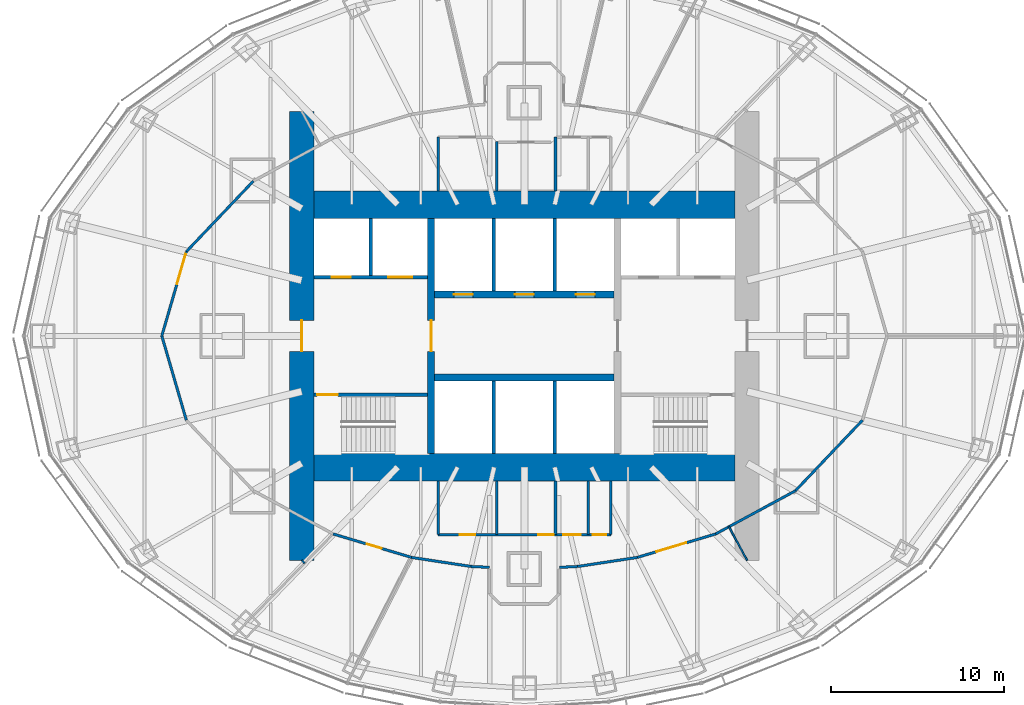
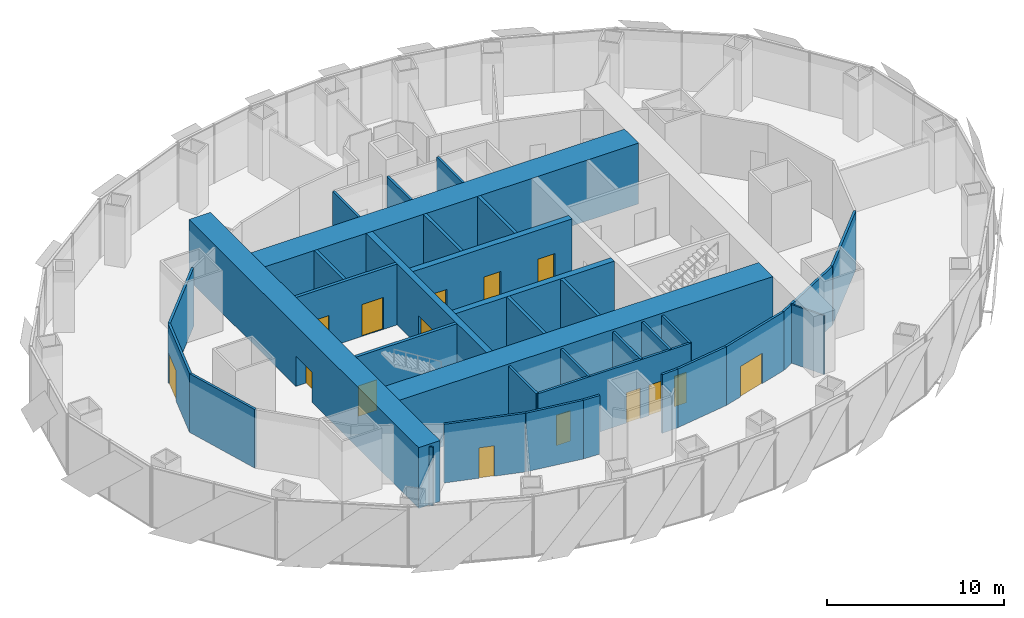
# One storey, part 11 of 18: 35 walls, 15 doors, 15 openings.
"""IFC4 building model written with IfcOpenShell, lengths in metres."""

import ifcopenshell
import ifcopenshell.guid

model = None  # the IFC model being written
_history = None  # IfcOwnerHistory: only IFC2X3 demands one
_inside = {}  # id of a spatial element -> (the spatial element, [elements in it])
_under = {}  # id of a project, library or spatial element -> (it, [spatial elements below it])
_declared = {}  # id of a project -> (the project, [libraries it declares])
_typed = {}  # id of a type object -> (the type object, [elements of that type])
_made_of = {}  # id of a material, layer set ... -> (it, [elements and type objects made of it])


def new_model(schema):
    """Start an empty IFC model of exactly this schema.

    Asked for "IFC4X3", IfcOpenShell would pick the latest addendum, in which some entities
    have other attributes; the version numbers below select the first issue.
    IFC2X3 requires an IfcOwnerHistory on every rooted entity: one is made here for all.
    """
    global model, _history
    if schema == "IFC4X3":
        model = ifcopenshell.file(schema_version=(4, 3, 0, 0))
    else:
        model = ifcopenshell.file(schema=schema)
    _inside.clear()
    _under.clear()
    _declared.clear()
    _typed.clear()
    _made_of.clear()
    _history = None
    if model.schema == "IFC2X3":
        org = make("IfcOrganization", Name="unknown")
        user = make(
            "IfcPersonAndOrganization",
            ThePerson=make("IfcPerson", FamilyName="unknown"),
            TheOrganization=org,
        )
        app = make(
            "IfcApplication",
            ApplicationDeveloper=org,
            Version="unknown",
            ApplicationFullName="unknown",
            ApplicationIdentifier="unknown",
        )
        _history = make(
            "IfcOwnerHistory",
            OwningUser=user,
            OwningApplication=app,
            ChangeAction="ADDED",
            CreationDate=0,
        )
    return model


def make(cls, **values):
    """One entity of the class cls with the attributes given. An attribute that is None is left unset."""
    return model.create_entity(
        cls, **{name: value for name, value in values.items() if value is not None}
    )


def rooted(cls, **values):
    """An entity with a GlobalId (a new one), such as an element, a storey or a relation."""
    return make(cls, GlobalId=ifcopenshell.guid.new(), OwnerHistory=_history, **values)


def si_unit(unit_type, name, prefix=None):
    """IfcSIUnit, for example si_unit("LENGTHUNIT", "METRE", prefix="MILLI")."""
    return make("IfcSIUnit", UnitType=unit_type, Prefix=prefix, Name=name)


def assignment(units):
    """IfcUnitAssignment: the units of a project."""
    return None if units is None else make("IfcUnitAssignment", Units=units)


def point(xyz):
    """IfcCartesianPoint."""
    return None if xyz is None else make("IfcCartesianPoint", Coordinates=xyz)


def direction(xyz):
    """IfcDirection."""
    return None if xyz is None else make("IfcDirection", DirectionRatios=xyz)


def frame(location, z_axis=None, x_axis=None):
    """IfcAxis2Placement3D, a coordinate frame: its origin and axes. An axis left out is left unset."""
    return make(
        "IfcAxis2Placement3D",
        Location=point(location),
        Axis=direction(z_axis),
        RefDirection=direction(x_axis),
    )


def frame_2d(location, x_axis=None):
    """IfcAxis2Placement2D, a coordinate frame in the plane: its origin and x axis."""
    return make(
        "IfcAxis2Placement2D", Location=point(location), RefDirection=direction(x_axis)
    )


def origin():
    """The frame at (0, 0, 0) with its axes left unset."""
    return frame((0.0, 0.0, 0.0))


def place(relative_to, where):
    """IfcLocalPlacement: puts the frame where relative to a parent placement (None: the world)."""
    return make(
        "IfcLocalPlacement", PlacementRelTo=relative_to, RelativePlacement=where
    )


def context(
    kind, dimensions, precision=None, world=None, true_north=None, identifier=None
):
    """IfcGeometricRepresentationContext, for example the 3D "Model" context."""
    return make(
        "IfcGeometricRepresentationContext",
        ContextIdentifier=identifier,
        ContextType=kind,
        CoordinateSpaceDimension=dimensions,
        Precision=precision,
        WorldCoordinateSystem=world,
        TrueNorth=true_north,
    )


def subcontext(parent, identifier, kind, view, scale=None):
    """IfcGeometricRepresentationSubContext, for example "Body" below "Model"."""
    return make(
        "IfcGeometricRepresentationSubContext",
        ContextIdentifier=identifier,
        ContextType=kind,
        ParentContext=parent,
        TargetScale=scale,
        TargetView=view,
    )


def project(units=None, contexts=None):
    """IfcProject with its units and contexts."""
    return rooted(
        "IfcProject",
        Name="project",
        RepresentationContexts=contexts,
        UnitsInContext=assignment(units),
    )


def spatial(cls, under=None, at=None, **own):
    """A site, building, storey or space (cls), placed at a placement, below another one or the project."""
    s = rooted(cls, ObjectPlacement=at, **own)
    if under is not None:
        _under.setdefault(under.id(), (under, []))[1].append(s)
    return s


def profile(cls, at=None, kind="AREA", **sizes):
    """A parametric profile (cls). Its sizes go by their IFC names, for example OverallWidth=200.0."""
    return make(cls, ProfileType=kind, Position=at, **sizes)


def rectangle(**sizes):
    """IfcRectangleProfileDef."""
    return profile("IfcRectangleProfileDef", **sizes)


def extrude(swept, where, along, depth):
    """IfcExtrudedAreaSolid: the profile swept, set in the frame where, extruded along a direction by depth."""
    return make(
        "IfcExtrudedAreaSolid",
        SweptArea=swept,
        Position=where,
        ExtrudedDirection=direction(along),
        Depth=depth,
    )


def shape(context_of_items, identifier, shape_type, items):
    """IfcShapeRepresentation: the items that make up one representation, for example the "Body"."""
    return make(
        "IfcShapeRepresentation",
        ContextOfItems=context_of_items,
        RepresentationIdentifier=identifier,
        RepresentationType=shape_type,
        Items=items,
    )


def material(Name=None, Category=None):
    """IfcMaterial."""
    return make("IfcMaterial", Name=Name, Category=Category)


def layer(
    of_material, thickness, ventilated=None, Name=None, Category=None, Priority=None
):
    """IfcMaterialLayer: one layer of a wall or slab, of a material (None: an air gap)."""
    return make(
        "IfcMaterialLayer",
        Material=of_material,
        LayerThickness=thickness,
        IsVentilated=ventilated,
        Name=Name,
        Category=Category,
        Priority=Priority,
    )


def layer_set(layers, Name=None):
    """IfcMaterialLayerSet."""
    return make("IfcMaterialLayerSet", MaterialLayers=layers, LayerSetName=Name)


def made_of(thing, what):
    """Note that an element or type object is made of a material, layer set ...; save() writes the relation."""
    if what is not None:
        _made_of.setdefault(what.id(), (what, []))[1].append(thing)
    return thing


def type_object(cls, material=None, **own):
    """A type object (cls), such as IfcWallType, which elements share."""
    return made_of(rooted(cls, **own), material)


def element(
    cls,
    number,
    at=None,
    inside=None,
    cuts=None,
    type_object=None,
    material=None,
    context=None,
    identifier="Body",
    shape_type=None,
    held_by="IfcProductDefinitionShape",
    body=None,
    shapes=None,
    **own,
):
    """One element of the class cls, such as IfcWall. Its Tag is "e" and its number.

    at: its placement. inside: the storey or other place that contains it. cuts: it is an
    opening in that element (IfcRelVoidsElement). A single representation is given by context,
    identifier, shape_type and body (its items); several are given by shapes. held_by: the class
    of the entity that holds the representations. save() writes the other relations.
    """
    e = rooted(cls, Tag="e%d" % number, ObjectPlacement=at, **own)
    if body is not None:
        shapes = [shape(context, identifier, shape_type, body)]
    if shapes is not None:
        e.Representation = make(held_by, Representations=shapes)
    if inside is not None:
        _inside.setdefault(inside.id(), (inside, []))[1].append(e)
    if cuts is not None:
        rooted(
            "IfcRelVoidsElement", RelatingBuildingElement=cuts, RelatedOpeningElement=e
        )
    if type_object is not None:
        _typed.setdefault(type_object.id(), (type_object, []))[1].append(e)
    return made_of(e, material)


def fill(opening, filler):
    """IfcRelFillsElement: the door or window that sits in an opening."""
    return rooted(
        "IfcRelFillsElement",
        RelatingOpeningElement=opening,
        RelatedBuildingElement=filler,
    )


def aggregate(whole, parts):
    """IfcRelAggregates: a whole, such as a stair, and the parts it consists of."""
    return rooted("IfcRelAggregates", RelatingObject=whole, RelatedObjects=parts)


def save(model, path):
    """Write the relations noted so far, then the file.

    IfcRelAggregates (storeys below a building ...), IfcRelContainedInSpatialStructure (elements
    in a storey), IfcRelDefinesByType, IfcRelAssociatesMaterial and IfcRelDeclares: one each for
    every whole, place, type object, material and project.
    """
    for whole, parts in _under.values():
        aggregate(whole, parts)
    for where, things in _inside.values():
        rooted(
            "IfcRelContainedInSpatialStructure",
            RelatedElements=things,
            RelatingStructure=where,
        )
    for kind, things in _typed.values():
        rooted("IfcRelDefinesByType", RelatedObjects=things, RelatingType=kind)
    for what, things in _made_of.values():
        rooted("IfcRelAssociatesMaterial", RelatedObjects=things, RelatingMaterial=what)
    for by, libraries in _declared.values():
        rooted("IfcRelDeclares", RelatingContext=by, RelatedDefinitions=libraries)
    model.write(path)


model = new_model("IFC4")

# Units and contexts
model_context = context("Model", 3, precision=1e-05, world=origin(), true_north=direction((0.0, 1.0)))
body_context = subcontext(model_context, "Body", "Model", "MODEL_VIEW")
ifc_project = project(units=[si_unit("LENGTHUNIT", "METRE"), si_unit("AREAUNIT", "SQUARE_METRE"), si_unit("VOLUMEUNIT", "CUBIC_METRE"), si_unit("PLANEANGLEUNIT", "RADIAN"), si_unit("MASSUNIT", "GRAM", prefix="KILO")], contexts=[model_context])

# Site, building, storey
site_placement = place(None, origin())
site = spatial("IfcSite", under=ifc_project, at=site_placement, CompositionType="ELEMENT")
building_placement = place(site_placement, origin())
building = spatial("IfcBuilding", under=site, at=building_placement, Name="Lantaw Convention Tower", CompositionType="ELEMENT")
storey_placement = place(building_placement, frame((0.0, 0.0, 180.39990234375)))
storey = spatial("IfcBuildingStorey", under=building, at=storey_placement, Name="L42", CompositionType="ELEMENT", Elevation=180.39990234375)

# Wall, opening, door
ifc_material_1 = material(Name="Concrete C60/75", Category="concrete")
ifc_layer_1 = layer(ifc_material_1, 1.39990234375)
ifc_layer_set_1 = layer_set([ifc_layer_1], Name="Core wall 1400")
wall_type_1 = type_object("IfcWallType", Name="Core wall 1400", PredefinedType="SHEAR", material=ifc_layer_set_1)
wall_1_placement = place(storey_placement, frame((-12.89990234375, 13.0, 0.0), z_axis=(0.0, 0.0, 1.0), x_axis=(0.0, -1.0, 0.0)))
wall_1 = element("IfcWall", 1, at=wall_1_placement, inside=storey, type_object=wall_type_1, Name="Core wall W", PredefinedType="SHEAR", context=body_context, shape_type="SweptSolid", body=[
    extrude(rectangle(XDim=26.0, YDim=1.39990234375, at=frame_2d((13.0, 0.0))), origin(), (0.0, 0.0, 1.0), 4.2001953125),
])
opening_1_placement = place(wall_1_placement, frame((12.10009765625, 0.0, 0.0)))
opening_1 = element("IfcOpeningElement", 2, at=opening_1_placement, cuts=wall_1, Name="Opening L42.06", PredefinedType="OPENING", context=body_context, shape_type="SweptSolid", body=[
    extrude(rectangle(XDim=1.800048828125, YDim=2.10009765625, at=frame_2d((0.89990234375, 1.050048828125))), frame((0.0, 0.7099609375, 0.0), z_axis=(0.0, -1.0, 0.0), x_axis=(1.0, 0.0, 0.0)), (0.0, 0.0, 1.0), 1.419921875),
])
ifc_material_2 = material(Name="Steel, fire rated", Category="steel")
door_type_1 = type_object("IfcDoorType", Name="Lobby double door FD90", OperationType="DOUBLE_DOOR_DOUBLE_SWING", PredefinedType="DOOR", material=ifc_material_2)
door_1_placement = place(opening_1_placement, origin())
door_1 = element("IfcDoor", 3, at=door_1_placement, inside=storey, type_object=door_type_1, Name="Firefighting lobby door", OperationType="DOUBLE_DOOR_DOUBLE_SWING", OverallHeight=2.10009765625, OverallWidth=1.800048828125, PredefinedType="DOOR", context=body_context, shape_type="SweptSolid", body=[
    extrude(rectangle(XDim=1.800048828125, YDim=2.10009765625, at=frame_2d((0.89990234375, 1.050048828125))), frame((0.0, 0.02490234375, 0.0), z_axis=(0.0, -1.0, 0.0), x_axis=(1.0, 0.0, 0.0)), (0.0, 0.0, 1.0), 0.050048828125),
])
fill(opening_1, door_1)

# Walls
ifc_layer_2 = layer(ifc_material_1, 1.60009765625)
ifc_layer_set_2 = layer_set([ifc_layer_2], Name="Core wall 1600")
wall_type_2 = type_object("IfcWallType", Name="Core wall 1600", PredefinedType="SHEAR", material=ifc_layer_set_2)
for number, where, z_axis, x_axis, name in (
    (4, (-12.199951171875, -7.60009765625, 0.0), (0.0, 0.0, 1.0), (1.0, 0.0, 0.0), "Core wall S"),
    (5, (12.199951171875, 7.60009765625, 0.0), (0.0, 0.0, 1.0), (-1.0, 0.0, 0.0), "Core wall N"),
):
    element("IfcWall", number, at=place(storey_placement, frame(where, z_axis=z_axis, x_axis=x_axis)), inside=storey, type_object=wall_type_2, Name=name, PredefinedType="SHEAR", context=body_context, shape_type="SweptSolid", body=[
        extrude(rectangle(XDim=24.39990234375, YDim=1.60009765625, at=frame_2d((12.199951171875, 0.0))), origin(), (0.0, 0.0, 1.0), 4.2001953125),
    ])

# Wall, opening, door
ifc_layer_3 = layer(ifc_material_1, 0.199951171875)
ifc_layer_set_3 = layer_set([ifc_layer_3], Name="Core wall 200")
wall_type_3 = type_object("IfcWallType", Name="Core wall 200", PredefinedType="SHEAR", material=ifc_layer_set_3)
wall_2_placement = place(storey_placement, frame((-5.60009765625, -3.39990234375, 0.0), z_axis=(0.0, 0.0, 1.0), x_axis=(-1.0, 0.0, 0.0)))
wall_2 = element("IfcWall", 6, at=wall_2_placement, inside=storey, type_object=wall_type_3, Name="Core wall WS", PredefinedType="SHEAR", context=body_context, shape_type="SweptSolid", body=[
    extrude(rectangle(XDim=6.599853515625, YDim=0.199951171875, at=frame_2d((3.2998046875, 0.0))), origin(), (0.0, 0.0, 1.0), 4.2001953125),
])
opening_2_placement = place(wall_2_placement, frame((5.199951171875, 0.0, 0.0)))
opening_2 = element("IfcOpeningElement", 7, at=opening_2_placement, cuts=wall_2, Name="Opening L42.04", PredefinedType="OPENING", context=body_context, shape_type="SweptSolid", body=[
    extrude(rectangle(XDim=1.199951171875, YDim=2.10009765625, at=frame_2d((0.60009765625, 1.050048828125))), frame((0.0, 0.10986328125, 0.0), z_axis=(0.0, -1.0, 0.0), x_axis=(1.0, 0.0, 0.0)), (0.0, 0.0, 1.0), 0.219970703125),
])
door_type_2 = type_object("IfcDoorType", Name="Stair door FD90", OperationType="SINGLE_SWING_RIGHT", PredefinedType="DOOR", material=ifc_material_2)
door_2_placement = place(opening_2_placement, origin())
door_2 = element("IfcDoor", 8, at=door_2_placement, inside=storey, type_object=door_type_2, Name="Exit stair door", OperationType="SINGLE_SWING_RIGHT", OverallHeight=2.10009765625, OverallWidth=1.199951171875, PredefinedType="DOOR", context=body_context, shape_type="SweptSolid", body=[
    extrude(rectangle(XDim=1.199951171875, YDim=2.10009765625, at=frame_2d((0.60009765625, 1.050048828125))), frame((0.0, 0.02490234375, 0.0), z_axis=(0.0, -1.0, 0.0), x_axis=(1.0, 0.0, 0.0)), (0.0, 0.0, 1.0), 0.050048828125),
])
fill(opening_2, door_2)

ifc_layer_4 = layer(ifc_material_1, 0.39990234375)
ifc_layer_set_4 = layer_set([ifc_layer_4], Name="Core wall 400")
wall_type_4 = type_object("IfcWallType", Name="Core wall 400", PredefinedType="SHEAR", material=ifc_layer_set_4)
wall_3_placement = place(storey_placement, frame((-5.39990234375, 6.800048828125, 0.0), z_axis=(0.0, 0.0, 1.0), x_axis=(0.0, -1.0, 0.0)))
wall_3 = element("IfcWall", 9, at=wall_3_placement, inside=storey, type_object=wall_type_4, Name="Core wall XW", PredefinedType="SHEAR", context=body_context, shape_type="SweptSolid", body=[
    extrude(rectangle(XDim=13.60009765625, YDim=0.39990234375, at=frame_2d((6.800048828125, 0.0))), origin(), (0.0, 0.0, 1.0), 4.2001953125),
])
opening_3_placement = place(wall_3_placement, frame((5.89990234375, 0.0, 0.0)))
opening_3 = element("IfcOpeningElement", 10, at=opening_3_placement, cuts=wall_3, Name="Opening L42.02", PredefinedType="OPENING", context=body_context, shape_type="SweptSolid", body=[
    extrude(rectangle(XDim=1.800048828125, YDim=2.10009765625, at=frame_2d((0.89990234375, 1.050048828125))), frame((0.0, 0.2099609375, 0.0), z_axis=(0.0, -1.0, 0.0), x_axis=(1.0, 0.0, 0.0)), (0.0, 0.0, 1.0), 0.419921875),
])
door_3_placement = place(opening_3_placement, origin())
door_3 = element("IfcDoor", 11, at=door_3_placement, inside=storey, type_object=door_type_1, Name="Lift lobby door", OperationType="DOUBLE_DOOR_DOUBLE_SWING", OverallHeight=2.10009765625, OverallWidth=1.800048828125, PredefinedType="DOOR", context=body_context, shape_type="SweptSolid", body=[
    extrude(rectangle(XDim=1.800048828125, YDim=2.10009765625, at=frame_2d((0.89990234375, 1.050048828125))), frame((0.0, 0.02490234375, 0.0), z_axis=(0.0, -1.0, 0.0), x_axis=(1.0, 0.0, 0.0)), (0.0, 0.0, 1.0), 0.050048828125),
])
fill(opening_3, door_3)

# Wall
wall_4_placement = place(storey_placement, frame((-5.199951171875, -2.39990234375, 0.0), z_axis=(0.0, 0.0, 1.0), x_axis=(1.0, 0.0, 0.0)))
element("IfcWall", 12, at=wall_4_placement, inside=storey, type_object=wall_type_4, Name="Core wall BS", PredefinedType="SHEAR", context=body_context, shape_type="SweptSolid", body=[
    extrude(rectangle(XDim=10.39990234375, YDim=0.39990234375, at=frame_2d((5.199951171875, 0.0))), origin(), (0.0, 0.0, 1.0), 4.2001953125),
])

# Wall, openings, doors
wall_5_placement = place(storey_placement, frame((5.199951171875, 2.39990234375, 0.0), z_axis=(0.0, 0.0, 1.0), x_axis=(-1.0, 0.0, 0.0)))
wall_5 = element("IfcWall", 13, at=wall_5_placement, inside=storey, type_object=wall_type_4, Name="Core wall BN", PredefinedType="SHEAR", context=body_context, shape_type="SweptSolid", body=[
    extrude(rectangle(XDim=10.39990234375, YDim=0.39990234375, at=frame_2d((5.199951171875, 0.0))), origin(), (0.0, 0.0, 1.0), 4.2001953125),
])
opening_4_placement = place(wall_5_placement, frame((8.183349609375, 0.0, 0.0)))
opening_4 = element("IfcOpeningElement", 14, at=opening_4_placement, cuts=wall_5, Name="Opening L42.07", PredefinedType="OPENING", context=body_context, shape_type="SweptSolid", body=[
    extrude(rectangle(XDim=1.10009765625, YDim=2.199951171875, at=frame_2d((0.550048828125, 1.10009765625))), frame((0.0, 0.2099609375, 0.0), z_axis=(0.0, -1.0, 0.0), x_axis=(1.0, 0.0, 0.0)), (0.0, 0.0, 1.0), 0.419921875),
])
opening_5_placement = place(wall_5_placement, frame((4.64990234375, 0.0, 0.0)))
opening_5 = element("IfcOpeningElement", 15, at=opening_5_placement, cuts=wall_5, Name="Opening L42.08", PredefinedType="OPENING", context=body_context, shape_type="SweptSolid", body=[
    extrude(rectangle(XDim=1.10009765625, YDim=2.199951171875, at=frame_2d((0.550048828125, 1.10009765625))), frame((0.0, 0.2099609375, 0.0), z_axis=(0.0, -1.0, 0.0), x_axis=(1.0, 0.0, 0.0)), (0.0, 0.0, 1.0), 0.419921875),
])
opening_6_placement = place(wall_5_placement, frame((1.11669921875, 0.0, 0.0)))
opening_6 = element("IfcOpeningElement", 16, at=opening_6_placement, cuts=wall_5, Name="Opening L42.09", PredefinedType="OPENING", context=body_context, shape_type="SweptSolid", body=[
    extrude(rectangle(XDim=1.10009765625, YDim=2.199951171875, at=frame_2d((0.550048828125, 1.10009765625))), frame((0.0, 0.2099609375, 0.0), z_axis=(0.0, -1.0, 0.0), x_axis=(1.0, 0.0, 0.0)), (0.0, 0.0, 1.0), 0.419921875),
])
ifc_material_3 = material(Name="Stainless steel", Category="steel")
door_type_3 = type_object("IfcDoorType", Name="Lift landing door 1100", OperationType="DOUBLE_DOOR_SLIDING", PredefinedType="DOOR", material=ifc_material_3)
door_4_placement = place(opening_4_placement, origin())
door_4 = element("IfcDoor", 17, at=door_4_placement, inside=storey, type_object=door_type_3, Name="Lift landing door N1", OperationType="DOUBLE_DOOR_SLIDING", OverallHeight=2.199951171875, OverallWidth=1.10009765625, PredefinedType="DOOR", context=body_context, shape_type="SweptSolid", body=[
    extrude(rectangle(XDim=1.10009765625, YDim=2.199951171875, at=frame_2d((0.550048828125, 1.10009765625))), frame((0.0, 0.02490234375, 0.0), z_axis=(0.0, -1.0, 0.0), x_axis=(1.0, 0.0, 0.0)), (0.0, 0.0, 1.0), 0.050048828125),
])
fill(opening_4, door_4)
door_5_placement = place(opening_5_placement, origin())
door_5 = element("IfcDoor", 18, at=door_5_placement, inside=storey, type_object=door_type_3, Name="Lift landing door N2", OperationType="DOUBLE_DOOR_SLIDING", OverallHeight=2.199951171875, OverallWidth=1.10009765625, PredefinedType="DOOR", context=body_context, shape_type="SweptSolid", body=[
    extrude(rectangle(XDim=1.10009765625, YDim=2.199951171875, at=frame_2d((0.550048828125, 1.10009765625))), frame((0.0, 0.02490234375, 0.0), z_axis=(0.0, -1.0, 0.0), x_axis=(1.0, 0.0, 0.0)), (0.0, 0.0, 1.0), 0.050048828125),
])
fill(opening_5, door_5)
door_6_placement = place(opening_6_placement, origin())
door_6 = element("IfcDoor", 19, at=door_6_placement, inside=storey, type_object=door_type_3, Name="Lift landing door N3", OperationType="DOUBLE_DOOR_SLIDING", OverallHeight=2.199951171875, OverallWidth=1.10009765625, PredefinedType="DOOR", context=body_context, shape_type="SweptSolid", body=[
    extrude(rectangle(XDim=1.10009765625, YDim=2.199951171875, at=frame_2d((0.550048828125, 1.10009765625))), frame((0.0, 0.02490234375, 0.0), z_axis=(0.0, -1.0, 0.0), x_axis=(1.0, 0.0, 0.0)), (0.0, 0.0, 1.0), 0.050048828125),
])
fill(opening_6, door_6)

# Wall
ifc_material_4 = material(Name="Gypsum board on steel studs, fire rated", Category="steel")
ifc_layer_5 = layer(ifc_material_4, 0.14990234375)
ifc_layer_set_5 = layer_set([ifc_layer_5], Name="Corridor wall 150 EI 60")
wall_type_5 = type_object("IfcWallType", Name="Corridor wall 150 EI 60", PredefinedType="PARTITIONING", material=ifc_layer_set_5)
wall_6_placement = place(storey_placement, frame((-15.695556640625, 8.968994140625, 0.0), z_axis=(0.0, 0.0, 1.0), x_axis=(-0.688797257101, -0.72495402517, 0.0)))
element("IfcWall", 20, at=wall_6_placement, inside=storey, type_object=wall_type_5, Name="Corridor wall 150", PredefinedType="PARTITIONING", context=body_context, shape_type="SweptSolid", body=[
    extrude(rectangle(XDim=5.63818359375, YDim=0.14990234375, at=frame_2d((2.819091796875, 0.0))), origin(), (0.0, 0.0, 1.0), 4.050048828125),
])

# Wall, opening, door
wall_7_placement = place(storey_placement, frame((-19.5791015625, 4.881591796875, 0.0), z_axis=(0.0, 0.0, 1.0), x_axis=(-0.279474430869, -0.960153134917, 0.0)))
wall_7 = element("IfcWall", 21, at=wall_7_placement, inside=storey, type_object=wall_type_5, Name="Corridor wall 150", PredefinedType="PARTITIONING", context=body_context, shape_type="SweptSolid", body=[
    extrude(rectangle(XDim=5.084228515625, YDim=0.14990234375, at=frame_2d((2.5419921875, 0.0))), origin(), (0.0, 0.0, 1.0), 4.050048828125),
])
opening_7_placement = place(wall_7_placement, frame((0.14990234375, 0.0, 0.0)))
opening_7 = element("IfcOpeningElement", 22, at=opening_7_placement, cuts=wall_7, Name="Opening L42.28", PredefinedType="OPENING", context=body_context, shape_type="SweptSolid", body=[
    extrude(rectangle(XDim=1.800048828125, YDim=2.10009765625, at=frame_2d((0.89990234375, 1.050048828125))), frame((0.0, 0.0849609375, 0.0), z_axis=(0.0, -1.0, 0.0), x_axis=(1.0, 0.0, 0.0)), (0.0, 0.0, 1.0), 0.169921875),
])
door_type_4 = type_object("IfcDoorType", Name="Office double door 1800 FD30", OperationType="DOUBLE_DOOR_DOUBLE_SWING", PredefinedType="DOOR", material=ifc_material_2)
door_7_placement = place(opening_7_placement, origin())
door_7 = element("IfcDoor", 23, at=door_7_placement, inside=storey, type_object=door_type_4, Name="Open office door", OperationType="DOUBLE_DOOR_DOUBLE_SWING", OverallHeight=2.10009765625, OverallWidth=1.800048828125, PredefinedType="DOOR", context=body_context, shape_type="SweptSolid", body=[
    extrude(rectangle(XDim=1.800048828125, YDim=2.10009765625, at=frame_2d((0.89990234375, 1.050048828125))), frame((0.0, 0.02490234375, 0.0), z_axis=(0.0, -1.0, 0.0), x_axis=(1.0, 0.0, 0.0)), (0.0, 0.0, 1.0), 0.050048828125),
])
fill(opening_7, door_7)

# Wall
wall_8_placement = place(storey_placement, frame((-21.0, 0.0, 0.0), z_axis=(0.0, 0.0, 1.0), x_axis=(0.279474430869, -0.960153134917, 0.0)))
element("IfcWall", 24, at=wall_8_placement, inside=storey, type_object=wall_type_5, Name="Corridor wall 150", PredefinedType="PARTITIONING", context=body_context, shape_type="SweptSolid", body=[
    extrude(rectangle(XDim=5.084228515625, YDim=0.14990234375, at=frame_2d((2.5419921875, 0.0))), origin(), (0.0, 0.0, 1.0), 4.050048828125),
])

# Wall, opening, door
wall_9_placement = place(storey_placement, frame((-11.075927734375, -11.469482421875, 0.0), z_axis=(0.0, 0.0, 1.0), x_axis=(0.957933992798, -0.286988615527, 0.0)))
wall_9 = element("IfcWall", 25, at=wall_9_placement, inside=storey, type_object=wall_type_5, Name="Corridor wall 150", PredefinedType="PARTITIONING", context=body_context, shape_type="SweptSolid", body=[
    extrude(rectangle(XDim=4.73828125, YDim=0.14990234375, at=frame_2d((2.369140625, 0.0))), origin(), (0.0, 0.0, 1.0), 4.050048828125),
])
opening_8_placement = place(wall_9_placement, frame((2.023193359375, 0.0, 0.0)))
opening_8 = element("IfcOpeningElement", 26, at=opening_8_placement, cuts=wall_9, Name="Opening L42.29", PredefinedType="OPENING", context=body_context, shape_type="SweptSolid", body=[
    extrude(rectangle(XDim=0.89990234375, YDim=2.10009765625, at=frame_2d((0.449951171875, 1.050048828125))), frame((0.0, 0.0849609375, 0.0), z_axis=(0.0, -1.0, 0.0), x_axis=(1.0, 0.0, 0.0)), (0.0, 0.0, 1.0), 0.169921875),
])
door_type_5 = type_object("IfcDoorType", Name="Office door 900 FD30", OperationType="SINGLE_SWING_LEFT", PredefinedType="DOOR", material=ifc_material_2)
door_8_placement = place(opening_8_placement, origin())
door_8 = element("IfcDoor", 27, at=door_8_placement, inside=storey, type_object=door_type_5, Name="Quiet room door", OperationType="SINGLE_SWING_LEFT", OverallHeight=2.10009765625, OverallWidth=0.89990234375, PredefinedType="DOOR", context=body_context, shape_type="SweptSolid", body=[
    extrude(rectangle(XDim=0.89990234375, YDim=2.10009765625, at=frame_2d((0.449951171875, 1.050048828125))), frame((0.0, 0.02490234375, 0.0), z_axis=(0.0, -1.0, 0.0), x_axis=(1.0, 0.0, 0.0)), (0.0, 0.0, 1.0), 0.050048828125),
])
fill(opening_8, door_8)

# Walls
for number, where, z_axis, x_axis, name in (
    (28, (-6.536865234375, -12.829345703125, 0.0), (0.0, 0.0, 1.0), (0.988668719464, -0.150113833987, 0.0), "Corridor wall 150"),
    (29, (3.0830078125, -13.353759765625, 0.0), (0.0, 0.0, 1.0), (0.988668719464, 0.150113833987, 0.0), "Corridor wall 150"),
):
    element("IfcWall", number, at=place(storey_placement, frame(where, z_axis=z_axis, x_axis=x_axis)), inside=storey, type_object=wall_type_5, Name=name, PredefinedType="PARTITIONING", context=body_context, shape_type="SweptSolid", body=[
        extrude(rectangle(XDim=3.493408203125, YDim=0.14990234375, at=frame_2d((1.74658203125, 0.0))), origin(), (0.0, 0.0, 1.0), 4.050048828125),
    ])

# Wall, opening, door
wall_10_placement = place(storey_placement, frame((6.536865234375, -12.829345703125, 0.0), z_axis=(0.0, 0.0, 1.0), x_axis=(0.957933992798, 0.286988615527, 0.0)))
wall_10 = element("IfcWall", 30, at=wall_10_placement, inside=storey, type_object=wall_type_5, Name="Corridor wall 150", PredefinedType="PARTITIONING", context=body_context, shape_type="SweptSolid", body=[
    extrude(rectangle(XDim=4.73828125, YDim=0.14990234375, at=frame_2d((2.369140625, 0.0))), origin(), (0.0, 0.0, 1.0), 4.050048828125),
])
opening_9_placement = place(wall_10_placement, frame((1.164794921875, 0.0, 0.0)))
opening_9 = element("IfcOpeningElement", 31, at=opening_9_placement, cuts=wall_10, Name="Opening L42.30", PredefinedType="OPENING", context=body_context, shape_type="SweptSolid", body=[
    extrude(rectangle(XDim=1.800048828125, YDim=2.10009765625, at=frame_2d((0.89990234375, 1.050048828125))), frame((0.0, 0.0849609375, 0.0), z_axis=(0.0, -1.0, 0.0), x_axis=(1.0, 0.0, 0.0)), (0.0, 0.0, 1.0), 0.169921875),
])
door_9_placement = place(opening_9_placement, origin())
door_9 = element("IfcDoor", 32, at=door_9_placement, inside=storey, type_object=door_type_4, Name="Open office door", OperationType="DOUBLE_DOOR_DOUBLE_SWING", OverallHeight=2.10009765625, OverallWidth=1.800048828125, PredefinedType="DOOR", context=body_context, shape_type="SweptSolid", body=[
    extrude(rectangle(XDim=1.800048828125, YDim=2.10009765625, at=frame_2d((0.89990234375, 1.050048828125))), frame((0.0, 0.02490234375, 0.0), z_axis=(0.0, -1.0, 0.0), x_axis=(1.0, 0.0, 0.0)), (0.0, 0.0, 1.0), 0.050048828125),
])
fill(opening_9, door_9)

# Walls
wall_11_placement = place(storey_placement, frame((11.075927734375, -11.469482421875, 0.0), z_axis=(0.0, 0.0, 1.0), x_axis=(0.879436285334, 0.476016617397, 0.0)))
element("IfcWall", 33, at=wall_11_placement, inside=storey, type_object=wall_type_5, Name="Corridor wall 150", PredefinedType="PARTITIONING", context=body_context, shape_type="SweptSolid", body=[
    extrude(rectangle(XDim=5.2529296875, YDim=0.14990234375, at=frame_2d((2.62646484375, 0.0))), origin(), (0.0, 0.0, 1.0), 4.050048828125),
])
wall_12_placement = place(storey_placement, frame((15.695556640625, -8.968994140625, 0.0), z_axis=(0.0, 0.0, 1.0), x_axis=(0.688797257101, 0.72495402517, 0.0)))
element("IfcWall", 34, at=wall_12_placement, inside=storey, type_object=wall_type_5, Name="Corridor wall 150", PredefinedType="PARTITIONING", context=body_context, shape_type="SweptSolid", body=[
    extrude(rectangle(XDim=5.63818359375, YDim=0.14990234375, at=frame_2d((2.819091796875, 0.0))), origin(), (0.0, 0.0, 1.0), 4.050048828125),
])
for number, where, z_axis, x_axis, name in (
    (35, (-3.0830078125, -13.353759765625, 0.0), (0.0, 0.0, 1.0), (0.998872870491, -0.047465657018, 0.0), "Corridor wall 150"),
    (36, (2.034912109375, -13.403564453125, 0.0), (0.0, 0.0, 1.0), (0.998872870491, 0.047465657018, 0.0), "Corridor wall 150"),
):
    element("IfcWall", number, at=place(storey_placement, frame(where, z_axis=z_axis, x_axis=x_axis)), inside=storey, type_object=wall_type_5, Name=name, PredefinedType="PARTITIONING", context=body_context, shape_type="SweptSolid", body=[
        extrude(rectangle(XDim=1.04931640625, YDim=0.14990234375, at=frame_2d((0.524658203125, 0.0))), origin(), (0.0, 0.0, 1.0), 4.050048828125),
    ])
ifc_material_5 = material(Name="Gypsum board on steel studs, acoustic", Category="steel")
ifc_layer_6 = layer(ifc_material_5, 0.10009765625)
ifc_layer_set_6 = layer_set([ifc_layer_6], Name="Office partition 100")
wall_type_6 = type_object("IfcWallType", Name="Office partition 100", PredefinedType="PARTITIONING", material=ifc_layer_set_6)
wall_13_placement = place(storey_placement, frame((12.89990234375, -13.0, 0.0), z_axis=(0.0, 0.0, 1.0), x_axis=(-0.475998959765, 0.879445842734, 0.0)))
element("IfcWall", 37, at=wall_13_placement, inside=storey, type_object=wall_type_6, Name="Office partition 100", PredefinedType="PARTITIONING", context=body_context, shape_type="SweptSolid", body=[
    extrude(rectangle(XDim=2.214111328125, YDim=0.10009765625, at=frame_2d((1.10693359375, 0.0))), origin(), (0.0, 0.0, 1.0), 4.050048828125),
])
wall_14_placement = place(storey_placement, frame((-12.89990234375, -13.0, 0.0), z_axis=(0.0, 0.0, 1.0), x_axis=(0.714845300066, -0.699282630253, 0.0)))
element("IfcWall", 38, at=wall_14_placement, inside=storey, type_object=wall_type_6, Name="Office partition 100", PredefinedType="PARTITIONING", context=body_context, shape_type="SweptSolid", body=[
    extrude(rectangle(XDim=0.2353515625, YDim=0.10009765625, at=frame_2d((0.11767578125, 0.0))), origin(), (0.0, 0.0, 1.0), 4.050048828125),
])
ifc_material_6 = material(Name="Concrete blockwork, fire rated", Category="masonry")
ifc_layer_7 = layer(ifc_material_6, 0.199951171875)
ifc_layer_set_7 = layer_set([ifc_layer_7], Name="Shaft wall 200")
wall_type_7 = type_object("IfcWallType", Name="Shaft wall 200", PredefinedType="SOLIDWALL", material=ifc_layer_set_7)
for number, where, z_axis, x_axis, name in (
    (39, (-1.7666015625, 2.60009765625, 0.0), (0.0, 0.0, 1.0), (0.0, 1.0, 0.0), "Shaft wall DN1"),
    (40, (1.7666015625, 2.60009765625, 0.0), (0.0, 0.0, 1.0), (0.0, 1.0, 0.0), "Shaft wall DN2"),
):
    element("IfcWall", number, at=place(storey_placement, frame(where, z_axis=z_axis, x_axis=x_axis)), inside=storey, type_object=wall_type_7, Name=name, PredefinedType="SOLIDWALL", context=body_context, shape_type="SweptSolid", body=[
        extrude(rectangle(XDim=4.199951171875, YDim=0.199951171875, at=frame_2d((2.10009765625, 0.0))), origin(), (0.0, 0.0, 1.0), 4.2001953125),
    ])

# Wall, openings, doors
wall_15_placement = place(storey_placement, frame((-12.199951171875, 3.39990234375, 0.0), z_axis=(0.0, 0.0, 1.0), x_axis=(1.0, 0.0, 0.0)))
wall_15 = element("IfcWall", 41, at=wall_15_placement, inside=storey, type_object=wall_type_7, Name="Shaft wall WN", PredefinedType="SOLIDWALL", context=body_context, shape_type="SweptSolid", body=[
    extrude(rectangle(XDim=6.599853515625, YDim=0.199951171875, at=frame_2d((3.2998046875, 0.0))), origin(), (0.0, 0.0, 1.0), 4.2001953125),
])
opening_10_placement = place(wall_15_placement, frame((1.050048828125, 0.0, 0.0)))
opening_10 = element("IfcOpeningElement", 42, at=opening_10_placement, cuts=wall_15, Name="Opening L42.10", PredefinedType="OPENING", context=body_context, shape_type="SweptSolid", body=[
    extrude(rectangle(XDim=1.10009765625, YDim=2.199951171875, at=frame_2d((0.550048828125, 1.10009765625))), frame((0.0, 0.10986328125, 0.0), z_axis=(0.0, -1.0, 0.0), x_axis=(1.0, 0.0, 0.0)), (0.0, 0.0, 1.0), 0.219970703125),
])
opening_11_placement = place(wall_15_placement, frame((4.300048828125, 0.0, 0.0)))
opening_11 = element("IfcOpeningElement", 43, at=opening_11_placement, cuts=wall_15, Name="Opening L42.11", PredefinedType="OPENING", context=body_context, shape_type="SweptSolid", body=[
    extrude(rectangle(XDim=1.39990234375, YDim=2.199951171875, at=frame_2d((0.699951171875, 1.10009765625))), frame((0.0, 0.10986328125, 0.0), z_axis=(0.0, -1.0, 0.0), x_axis=(1.0, 0.0, 0.0)), (0.0, 0.0, 1.0), 0.219970703125),
])
door_10_placement = place(opening_10_placement, origin())
door_10 = element("IfcDoor", 44, at=door_10_placement, inside=storey, type_object=door_type_3, Name="Lift landing door FF1", OperationType="DOUBLE_DOOR_SLIDING", OverallHeight=2.199951171875, OverallWidth=1.10009765625, PredefinedType="DOOR", context=body_context, shape_type="SweptSolid", body=[
    extrude(rectangle(XDim=1.10009765625, YDim=2.199951171875, at=frame_2d((0.550048828125, 1.10009765625))), frame((0.0, 0.02490234375, 0.0), z_axis=(0.0, -1.0, 0.0), x_axis=(1.0, 0.0, 0.0)), (0.0, 0.0, 1.0), 0.050048828125),
])
fill(opening_10, door_10)
door_type_6 = type_object("IfcDoorType", Name="Lift landing door 1400", OperationType="DOUBLE_DOOR_SLIDING", PredefinedType="DOOR", material=ifc_material_3)
door_11_placement = place(opening_11_placement, origin())
door_11 = element("IfcDoor", 45, at=door_11_placement, inside=storey, type_object=door_type_6, Name="Lift landing door SV1", OperationType="DOUBLE_DOOR_SLIDING", OverallHeight=2.199951171875, OverallWidth=1.39990234375, PredefinedType="DOOR", context=body_context, shape_type="SweptSolid", body=[
    extrude(rectangle(XDim=1.39990234375, YDim=2.199951171875, at=frame_2d((0.699951171875, 1.10009765625))), frame((0.0, 0.02490234375, 0.0), z_axis=(0.0, -1.0, 0.0), x_axis=(1.0, 0.0, 0.0)), (0.0, 0.0, 1.0), 0.050048828125),
])
fill(opening_11, door_11)

# Walls
wall_16_placement = place(storey_placement, frame((-8.89990234375, 3.5, 0.0), z_axis=(0.0, 0.0, 1.0), x_axis=(0.0, 1.0, 0.0)))
element("IfcWall", 46, at=wall_16_placement, inside=storey, type_object=wall_type_7, Name="Shaft wall WD", PredefinedType="SOLIDWALL", context=body_context, shape_type="SweptSolid", body=[
    extrude(rectangle(XDim=3.300048828125, YDim=0.199951171875, at=frame_2d((1.64990234375, 0.0))), origin(), (0.0, 0.0, 1.0), 4.2001953125),
])
ifc_layer_8 = layer(ifc_material_6, 0.199951171875)
ifc_layer_set_8 = layer_set([ifc_layer_8], Name="Shaft wall 200 load-bearing")
wall_type_8 = type_object("IfcWallType", Name="Shaft wall 200 load-bearing", PredefinedType="SOLIDWALL", material=ifc_layer_set_8)
for number, where, z_axis, x_axis, name in (
    (47, (-1.7666015625, -2.60009765625, 0.0), (0.0, 0.0, 1.0), (0.0, -1.0, 0.0), "Shaft wall DS1"),
    (48, (1.7666015625, -2.60009765625, 0.0), (0.0, 0.0, 1.0), (0.0, -1.0, 0.0), "Shaft wall DS2"),
):
    element("IfcWall", number, at=place(storey_placement, frame(where, z_axis=z_axis, x_axis=x_axis)), inside=storey, type_object=wall_type_8, Name=name, PredefinedType="SOLIDWALL", context=body_context, shape_type="SweptSolid", body=[
        extrude(rectangle(XDim=4.199951171875, YDim=0.199951171875, at=frame_2d((2.10009765625, 0.0))), origin(), (0.0, 0.0, 1.0), 4.2001953125),
    ])
ifc_material_7 = material(Name="Concrete blockwork", Category="masonry")
ifc_layer_9 = layer(ifc_material_7, 0.14990234375)
ifc_layer_set_9 = layer_set([ifc_layer_9], Name="WC wall 150")
wall_type_9 = type_object("IfcWallType", Name="WC wall 150", PredefinedType="SOLIDWALL", material=ifc_layer_set_9)
for number, where, z_axis, x_axis, name in (
    (49, (-5.0, 8.39990234375, 0.0), (0.0, 0.0, 1.0), (0.0, 1.0, 0.0), "WC wall 150"),
    (50, (1.800048828125, 8.39990234375, 0.0), (0.0, 0.0, 1.0), (0.0, 1.0, 0.0), "WC wall 150"),
):
    element("IfcWall", number, at=place(storey_placement, frame(where, z_axis=z_axis, x_axis=x_axis)), inside=storey, type_object=wall_type_9, Name=name, PredefinedType="SOLIDWALL", context=body_context, shape_type="SweptSolid", body=[
        extrude(rectangle(XDim=3.112060546875, YDim=0.14990234375, at=frame_2d((1.55615234375, 0.0))), origin(), (0.0, 0.0, 1.0), 4.050048828125),
    ])

# Wall, openings, doors
wall_17_placement = place(storey_placement, frame((-5.0, -11.511962890625, 0.0), z_axis=(0.0, 0.0, 1.0), x_axis=(1.0, 0.0, 0.0)))
wall_17 = element("IfcWall", 51, at=wall_17_placement, inside=storey, type_object=wall_type_9, Name="WC wall 150", PredefinedType="SOLIDWALL", context=body_context, shape_type="SweptSolid", body=[
    extrude(rectangle(XDim=10.0, YDim=0.14990234375, at=frame_2d((5.0, 0.0))), origin(), (0.0, 0.0, 1.0), 4.050048828125),
])
opening_12_placement = place(wall_17_placement, frame((1.25, 0.0, 0.0)))
opening_12 = element("IfcOpeningElement", 52, at=opening_12_placement, cuts=wall_17, Name="Opening L42.18", PredefinedType="OPENING", context=body_context, shape_type="SweptSolid", body=[
    extrude(rectangle(XDim=0.89990234375, YDim=2.10009765625, at=frame_2d((0.449951171875, 1.050048828125))), frame((0.0, 0.0849609375, 0.0), z_axis=(0.0, -1.0, 0.0), x_axis=(1.0, 0.0, 0.0)), (0.0, 0.0, 1.0), 0.169921875),
])
opening_13_placement = place(wall_17_placement, frame((5.800048828125, 0.0, 0.0)))
opening_13 = element("IfcOpeningElement", 53, at=opening_13_placement, cuts=wall_17, Name="Opening L42.19", PredefinedType="OPENING", context=body_context, shape_type="SweptSolid", body=[
    extrude(rectangle(XDim=0.89990234375, YDim=2.10009765625, at=frame_2d((0.449951171875, 1.050048828125))), frame((0.0, 0.0849609375, 0.0), z_axis=(0.0, -1.0, 0.0), x_axis=(1.0, 0.0, 0.0)), (0.0, 0.0, 1.0), 0.169921875),
])
opening_14_placement = place(wall_17_placement, frame((7.25, 0.0, 0.0)))
opening_14 = element("IfcOpeningElement", 54, at=opening_14_placement, cuts=wall_17, Name="Opening L42.20", PredefinedType="OPENING", context=body_context, shape_type="SweptSolid", body=[
    extrude(rectangle(XDim=1.0, YDim=2.10009765625, at=frame_2d((0.5, 1.050048828125))), frame((0.0, 0.0849609375, 0.0), z_axis=(0.0, -1.0, 0.0), x_axis=(1.0, 0.0, 0.0)), (0.0, 0.0, 1.0), 0.169921875),
])
opening_15_placement = place(wall_17_placement, frame((8.949951171875, 0.0, 0.0)))
opening_15 = element("IfcOpeningElement", 55, at=opening_15_placement, cuts=wall_17, Name="Opening L42.21", PredefinedType="OPENING", context=body_context, shape_type="SweptSolid", body=[
    extrude(rectangle(XDim=0.800048828125, YDim=2.10009765625, at=frame_2d((0.39990234375, 1.050048828125))), frame((0.0, 0.0849609375, 0.0), z_axis=(0.0, -1.0, 0.0), x_axis=(1.0, 0.0, 0.0)), (0.0, 0.0, 1.0), 0.169921875),
])
ifc_material_8 = material(Name="Timber", Category="wood")
door_type_7 = type_object("IfcDoorType", Name="Accessible WC door 1000", OperationType="SINGLE_SWING_LEFT", PredefinedType="DOOR", material=ifc_material_8)
door_12_placement = place(opening_14_placement, origin())
door_12 = element("IfcDoor", 56, at=door_12_placement, inside=storey, type_object=door_type_7, Name="Accessible WC door", OperationType="SINGLE_SWING_LEFT", OverallHeight=2.10009765625, OverallWidth=1.0, PredefinedType="DOOR", context=body_context, shape_type="SweptSolid", body=[
    extrude(rectangle(XDim=1.0, YDim=2.10009765625, at=frame_2d((0.5, 1.050048828125))), frame((0.0, 0.02490234375, 0.0), z_axis=(0.0, -1.0, 0.0), x_axis=(1.0, 0.0, 0.0)), (0.0, 0.0, 1.0), 0.050048828125),
])
fill(opening_14, door_12)
door_type_8 = type_object("IfcDoorType", Name="WC door 800", OperationType="SINGLE_SWING_LEFT", PredefinedType="DOOR", material=ifc_material_8)
door_13_placement = place(opening_15_placement, origin())
door_13 = element("IfcDoor", 57, at=door_13_placement, inside=storey, type_object=door_type_8, Name="Pantry door", OperationType="SINGLE_SWING_LEFT", OverallHeight=2.10009765625, OverallWidth=0.800048828125, PredefinedType="DOOR", context=body_context, shape_type="SweptSolid", body=[
    extrude(rectangle(XDim=0.800048828125, YDim=2.10009765625, at=frame_2d((0.39990234375, 1.050048828125))), frame((0.0, 0.02490234375, 0.0), z_axis=(0.0, -1.0, 0.0), x_axis=(1.0, 0.0, 0.0)), (0.0, 0.0, 1.0), 0.050048828125),
])
fill(opening_15, door_13)
door_type_9 = type_object("IfcDoorType", Name="WC door 900", OperationType="SINGLE_SWING_LEFT", PredefinedType="DOOR", material=ifc_material_8)
door_14_placement = place(opening_12_placement, origin())
door_14 = element("IfcDoor", 58, at=door_14_placement, inside=storey, type_object=door_type_9, Name="Male WC door", OperationType="SINGLE_SWING_LEFT", OverallHeight=2.10009765625, OverallWidth=0.89990234375, PredefinedType="DOOR", context=body_context, shape_type="SweptSolid", body=[
    extrude(rectangle(XDim=0.89990234375, YDim=2.10009765625, at=frame_2d((0.449951171875, 1.050048828125))), frame((0.0, 0.02490234375, 0.0), z_axis=(0.0, -1.0, 0.0), x_axis=(1.0, 0.0, 0.0)), (0.0, 0.0, 1.0), 0.050048828125),
])
fill(opening_12, door_14)
door_15_placement = place(opening_13_placement, origin())
door_15 = element("IfcDoor", 59, at=door_15_placement, inside=storey, type_object=door_type_9, Name="Female WC door", OperationType="SINGLE_SWING_LEFT", OverallHeight=2.10009765625, OverallWidth=0.89990234375, PredefinedType="DOOR", context=body_context, shape_type="SweptSolid", body=[
    extrude(rectangle(XDim=0.89990234375, YDim=2.10009765625, at=frame_2d((0.449951171875, 1.050048828125))), frame((0.0, 0.02490234375, 0.0), z_axis=(0.0, -1.0, 0.0), x_axis=(1.0, 0.0, 0.0)), (0.0, 0.0, 1.0), 0.050048828125),
])
fill(opening_13, door_15)

# Walls
for number, where, z_axis, x_axis, name in (
    (60, (-5.0, -8.39990234375, 0.0), (0.0, 0.0, 1.0), (0.0, -1.0, 0.0), "WC wall 150"),
    (61, (5.0, -8.39990234375, 0.0), (0.0, 0.0, 1.0), (0.0, -1.0, 0.0), "WC wall 150"),
    (62, (-1.60009765625, -8.39990234375, 0.0), (0.0, 0.0, 1.0), (0.0, -1.0, 0.0), "WC wall 150"),
    (63, (1.800048828125, -8.39990234375, 0.0), (0.0, 0.0, 1.0), (0.0, -1.0, 0.0), "WC wall 150"),
    (64, (3.699951171875, -8.39990234375, 0.0), (0.0, 0.0, 1.0), (0.0, -1.0, 0.0), "WC wall 150"),
):
    element("IfcWall", number, at=place(storey_placement, frame(where, z_axis=z_axis, x_axis=x_axis)), inside=storey, type_object=wall_type_9, Name=name, PredefinedType="SOLIDWALL", context=body_context, shape_type="SweptSolid", body=[
        extrude(rectangle(XDim=3.112060546875, YDim=0.14990234375, at=frame_2d((1.55615234375, 0.0))), origin(), (0.0, 0.0, 1.0), 4.050048828125),
    ])
wall_18_placement = place(storey_placement, frame((-1.60009765625, 8.39990234375, 0.0), z_axis=(0.0, 0.0, 1.0), x_axis=(0.0, 1.0, 0.0)))
element("IfcWall", 65, at=wall_18_placement, inside=storey, type_object=wall_type_9, Name="WC wall 150", PredefinedType="SOLIDWALL", context=body_context, shape_type="SweptSolid", body=[
    extrude(rectangle(XDim=2.86865234375, YDim=0.14990234375, at=frame_2d((1.434326171875, 0.0))), origin(), (0.0, 0.0, 1.0), 4.050048828125),
])

save(model, "model.ifc")
